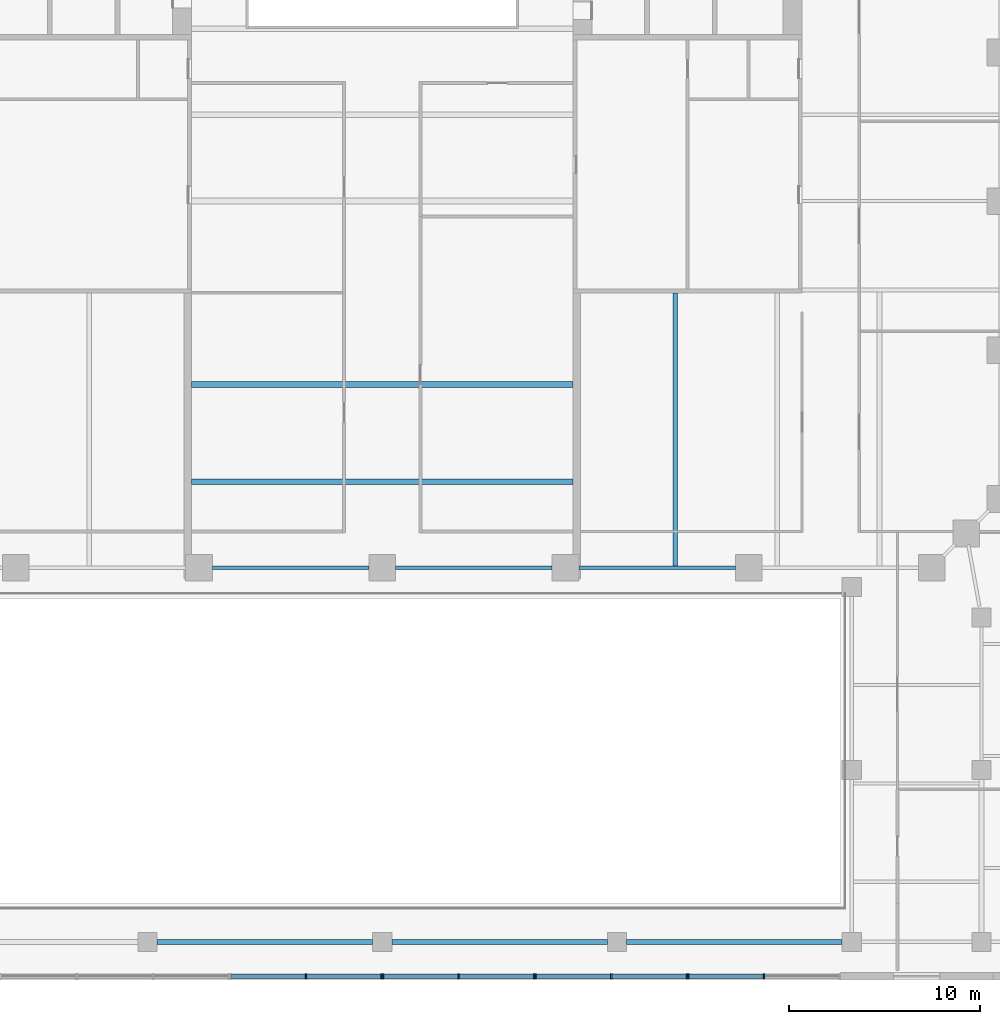
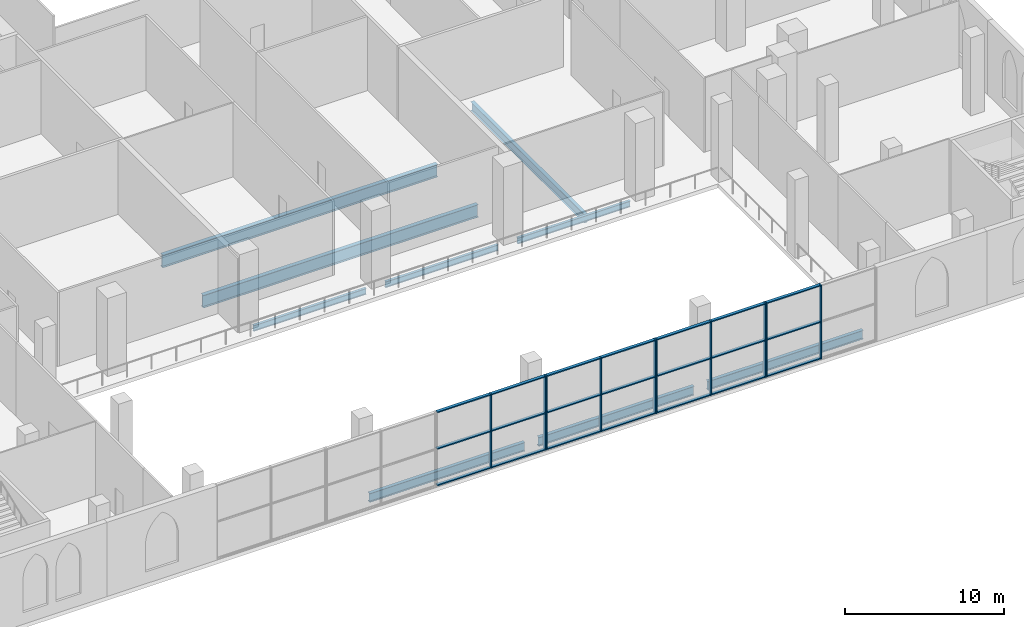
# One storey, part 3 of 21: 31 members, 9 beams, 4 elements without a shape of their own.
"""IFC4 building model written with IfcOpenShell, lengths in metres."""

from ifc_helpers import new_model, si_unit, direction, frame, origin, origin_2d, place, context, subcontext, project, spatial, rectangle, i_section, extrude, material, material_profile, profile_set, type_object, element, aggregate, save


model = new_model("IFC4")

# Units and contexts
model_context = context("Model", 3, precision=1e-05, world=origin(), true_north=direction((0.0, 1.0)))
body_context = subcontext(model_context, "Body", "Model", "MODEL_VIEW")
ifc_project = project(units=[si_unit("LENGTHUNIT", "METRE"), si_unit("AREAUNIT", "SQUARE_METRE"), si_unit("VOLUMEUNIT", "CUBIC_METRE"), si_unit("PLANEANGLEUNIT", "RADIAN"), si_unit("MASSUNIT", "GRAM", prefix="KILO")], contexts=[model_context])

# Site, building, storey
site_placement = place(None, origin())
site = spatial("IfcSite", under=ifc_project, at=site_placement, CompositionType="ELEMENT")
building_placement = place(site_placement, origin())
building = spatial("IfcBuilding", under=site, at=building_placement, Name="Ogive Exchange Tower", CompositionType="ELEMENT")
storey_placement = place(building_placement, frame((0.0, 0.0, 8.0)))
storey = spatial("IfcBuildingStorey", under=building, at=storey_placement, Name="L01", CompositionType="ELEMENT", Elevation=8.0)

# Beams
ifc_material_1 = material(Name="Steel ASTM A992 Gr50", Category="steel")
ifc_material_profile_1 = material_profile(ifc_material_1, i_section(OverallWidth=0.300048828125, OverallDepth=0.969970703125, WebThickness=0.01611328125, FlangeThickness=0.02099609375, at=origin_2d()), Name="W1000x222")
ifc_profile_set_1 = profile_set([ifc_material_profile_1], Name="Steel ASTM A992 Gr50")
beam_type_1 = type_object("IfcBeamType", Name="Floor beam W1000x222", PredefinedType="JOIST", material=ifc_profile_set_1)
for number, where, z_axis, x_axis, name in (
    (1, (-10.0, -25.896728515625, -0.784912109375), (1.0, 0.0, 0.0), (0.0, 1.0, 0.0), "Floor beam"),
    (2, (-10.0, -20.793212890625, -0.784912109375), (1.0, 0.0, 0.0), (0.0, 1.0, 0.0), "Floor beam"),
):
    element("IfcBeam", number, at=place(storey_placement, frame(where, z_axis=z_axis, x_axis=x_axis)), inside=storey, type_object=beam_type_1, Name=name, PredefinedType="JOIST", context=body_context, shape_type="SweptSolid", body=[
        extrude(i_section(OverallWidth=0.300048828125, OverallDepth=0.969970703125, WebThickness=0.01611328125, FlangeThickness=0.02099609375, at=origin_2d()), origin(), (0.0, 0.0, 1.0), 20.0),
    ])
ifc_material_profile_2 = material_profile(ifc_material_1, i_section(OverallWidth=0.25390625, OverallDepth=0.68310546875, WebThickness=0.012451171875, FlangeThickness=0.018798828125, at=origin_2d()), Name="W690x140")
ifc_profile_set_2 = profile_set([ifc_material_profile_2], Name="Steel ASTM A992 Gr50")
beam_type_2 = type_object("IfcBeamType", Name="Floor beam W690x140", PredefinedType="JOIST", material=ifc_profile_set_2)
beam_placement = place(storey_placement, frame((15.35009765625, -30.304443359375, -0.6416015625), z_axis=(0.0, 1.0, 0.0), x_axis=(-1.0, 0.0, 0.0)))
element("IfcBeam", 3, at=beam_placement, inside=storey, type_object=beam_type_2, Name="Floor beam", PredefinedType="JOIST", context=body_context, shape_type="SweptSolid", body=[
    extrude(i_section(OverallWidth=0.25390625, OverallDepth=0.68310546875, WebThickness=0.012451171875, FlangeThickness=0.018798828125, at=origin_2d()), origin(), (0.0, 0.0, 1.0), 14.304443359375),
])

# Curtain wall, members
ifc_material_2 = material(Name="Anodised aluminium and clear glass", Category="aluminium")
curtain_wall_type = type_object("IfcCurtainWallType", Name="Galleria end wall glazing", PredefinedType="NOTDEFINED", material=ifc_material_2)
curtain_wall_1_placement = place(storey_placement, origin())
curtain_wall_1 = element("IfcCurtainWall", 4, at=curtain_wall_1_placement, inside=storey, type_object=curtain_wall_type, Name="Galleria end wall glazing run GE6", PredefinedType="NOTDEFINED")
ifc_material_3 = material(Name="Anodised aluminium", Category="aluminium")
ifc_material_profile_3 = material_profile(ifc_material_3, rectangle(XDim=0.260009765625, YDim=0.080078125, at=origin_2d()), Name="AL 80x260")
ifc_profile_set_3 = profile_set([ifc_material_profile_3], Name="Anodised aluminium")
member_type_1 = type_object("IfcMemberType", Name="Galleria end wall glazing mullion 80 x 260", PredefinedType="MULLION", material=ifc_profile_set_3)
member_1_placement = place(storey_placement, frame((-4.0, -51.800048828125, 0.0), z_axis=(0.0, 0.0, 1.0), x_axis=(0.0, 1.0, 0.0)))
member_1 = element("IfcMember", 5, at=member_1_placement, type_object=member_type_1, Name="GE6 mullion 2", PredefinedType="MULLION", context=body_context, shape_type="SweptSolid", body=[
    extrude(rectangle(XDim=0.260009765625, YDim=0.080078125, at=origin_2d()), origin(), (0.0, 0.0, 1.0), 5.699951171875),
])
member_2_placement = place(storey_placement, frame((-0.0400390625, -51.800048828125, 0.0), z_axis=(0.0, 0.0, 1.0), x_axis=(0.0, 1.0, 0.0)))
member_2 = element("IfcMember", 6, at=member_2_placement, type_object=member_type_1, Name="GE6 mullion 3", PredefinedType="MULLION", context=body_context, shape_type="SweptSolid", body=[
    extrude(rectangle(XDim=0.260009765625, YDim=0.080078125, at=origin_2d()), origin(), (0.0, 0.0, 1.0), 5.699951171875),
])

curtain_wall_2_placement = place(storey_placement, origin())
curtain_wall_2 = element("IfcCurtainWall", 7, at=curtain_wall_2_placement, inside=storey, type_object=curtain_wall_type, Name="Galleria end wall glazing run GE7", PredefinedType="NOTDEFINED")
member_3_placement = place(storey_placement, frame((0.0400390625, -51.800048828125, 0.0), z_axis=(0.0, 0.0, 1.0), x_axis=(0.0, 1.0, 0.0)))
member_3 = element("IfcMember", 8, at=member_3_placement, type_object=member_type_1, Name="GE7 mullion 1", PredefinedType="MULLION", context=body_context, shape_type="SweptSolid", body=[
    extrude(rectangle(XDim=0.260009765625, YDim=0.080078125, at=origin_2d()), origin(), (0.0, 0.0, 1.0), 5.699951171875),
])
member_4_placement = place(storey_placement, frame((4.0, -51.800048828125, 0.0), z_axis=(0.0, 0.0, 1.0), x_axis=(0.0, 1.0, 0.0)))
member_4 = element("IfcMember", 9, at=member_4_placement, type_object=member_type_1, Name="GE7 mullion 2", PredefinedType="MULLION", context=body_context, shape_type="SweptSolid", body=[
    extrude(rectangle(XDim=0.260009765625, YDim=0.080078125, at=origin_2d()), origin(), (0.0, 0.0, 1.0), 5.699951171875),
])
member_5_placement = place(storey_placement, frame((7.9599609375, -51.800048828125, 0.0), z_axis=(0.0, 0.0, 1.0), x_axis=(0.0, 1.0, 0.0)))
member_5 = element("IfcMember", 10, at=member_5_placement, type_object=member_type_1, Name="GE7 mullion 3", PredefinedType="MULLION", context=body_context, shape_type="SweptSolid", body=[
    extrude(rectangle(XDim=0.260009765625, YDim=0.080078125, at=origin_2d()), origin(), (0.0, 0.0, 1.0), 5.699951171875),
])

curtain_wall_3_placement = place(storey_placement, origin())
curtain_wall_3 = element("IfcCurtainWall", 11, at=curtain_wall_3_placement, inside=storey, type_object=curtain_wall_type, Name="Galleria end wall glazing run GE8", PredefinedType="NOTDEFINED")
member_6_placement = place(storey_placement, frame((8.0400390625, -51.800048828125, 0.0), z_axis=(0.0, 0.0, 1.0), x_axis=(0.0, 1.0, 0.0)))
member_6 = element("IfcMember", 12, at=member_6_placement, type_object=member_type_1, Name="GE8 mullion 1", PredefinedType="MULLION", context=body_context, shape_type="SweptSolid", body=[
    extrude(rectangle(XDim=0.260009765625, YDim=0.080078125, at=origin_2d()), origin(), (0.0, 0.0, 1.0), 5.699951171875),
])
member_7_placement = place(storey_placement, frame((12.0, -51.800048828125, 0.0), z_axis=(0.0, 0.0, 1.0), x_axis=(0.0, 1.0, 0.0)))
member_7 = element("IfcMember", 13, at=member_7_placement, type_object=member_type_1, Name="GE8 mullion 2", PredefinedType="MULLION", context=body_context, shape_type="SweptSolid", body=[
    extrude(rectangle(XDim=0.260009765625, YDim=0.080078125, at=origin_2d()), origin(), (0.0, 0.0, 1.0), 5.699951171875),
])
member_8_placement = place(storey_placement, frame((15.9599609375, -51.800048828125, 0.0), z_axis=(0.0, 0.0, 1.0), x_axis=(0.0, 1.0, 0.0)))
member_8 = element("IfcMember", 14, at=member_8_placement, type_object=member_type_1, Name="GE8 mullion 3", PredefinedType="MULLION", context=body_context, shape_type="SweptSolid", body=[
    extrude(rectangle(XDim=0.260009765625, YDim=0.080078125, at=origin_2d()), origin(), (0.0, 0.0, 1.0), 5.699951171875),
])

curtain_wall_4_placement = place(storey_placement, origin())
curtain_wall_4 = element("IfcCurtainWall", 15, at=curtain_wall_4_placement, inside=storey, type_object=curtain_wall_type, Name="Galleria end wall glazing run GE9", PredefinedType="NOTDEFINED")
member_9_placement = place(storey_placement, frame((16.0400390625, -51.800048828125, 0.0), z_axis=(0.0, 0.0, 1.0), x_axis=(0.0, 1.0, 0.0)))
member_9 = element("IfcMember", 16, at=member_9_placement, type_object=member_type_1, Name="GE9 mullion 1", PredefinedType="MULLION", context=body_context, shape_type="SweptSolid", body=[
    extrude(rectangle(XDim=0.260009765625, YDim=0.080078125, at=origin_2d()), origin(), (0.0, 0.0, 1.0), 5.699951171875),
])
member_10_placement = place(storey_placement, frame((20.0, -51.800048828125, 0.0), z_axis=(0.0, 0.0, 1.0), x_axis=(0.0, 1.0, 0.0)))
member_10 = element("IfcMember", 17, at=member_10_placement, type_object=member_type_1, Name="GE9 mullion 2", PredefinedType="MULLION", context=body_context, shape_type="SweptSolid", body=[
    extrude(rectangle(XDim=0.260009765625, YDim=0.080078125, at=origin_2d()), origin(), (0.0, 0.0, 1.0), 5.699951171875),
])

# Member
ifc_material_profile_4 = material_profile(ifc_material_3, rectangle(XDim=0.219970703125, YDim=0.080078125, at=origin_2d()), Name="AL 80x220")
ifc_profile_set_4 = profile_set([ifc_material_profile_4], Name="Anodised aluminium")
member_type_2 = type_object("IfcMemberType", Name="Galleria end wall glazing transom 80 x 220", PredefinedType="USERDEFINED", material=ifc_profile_set_4)
member_11_placement = place(storey_placement, frame((-7.919921875, -51.800048828125, 0.0400390625), z_axis=(1.0, 0.0, 0.0), x_axis=(0.0, 1.0, 0.0)))
member_11 = element("IfcMember", 18, at=member_11_placement, type_object=member_type_2, Name="GE6 transom 1.1", ObjectType="TRANSOM", PredefinedType="USERDEFINED", context=body_context, shape_type="SweptSolid", body=[
    extrude(rectangle(XDim=0.219970703125, YDim=0.080078125, at=origin_2d()), origin(), (0.0, 0.0, 1.0), 3.8798828125),
])

member_12_placement = place(storey_placement, frame((-7.919921875, -51.800048828125, 2.85009765625), z_axis=(1.0, 0.0, 0.0), x_axis=(0.0, 1.0, 0.0)))
member_12 = element("IfcMember", 19, at=member_12_placement, type_object=member_type_2, Name="GE6 transom 1.2", ObjectType="TRANSOM", PredefinedType="USERDEFINED", context=body_context, shape_type="SweptSolid", body=[
    extrude(rectangle(XDim=0.219970703125, YDim=0.080078125, at=origin_2d()), origin(), (0.0, 0.0, 1.0), 3.8798828125),
])

member_13_placement = place(storey_placement, frame((-7.919921875, -51.800048828125, 5.659912109375), z_axis=(1.0, 0.0, 0.0), x_axis=(0.0, 1.0, 0.0)))
member_13 = element("IfcMember", 20, at=member_13_placement, type_object=member_type_2, Name="GE6 transom 1.3", ObjectType="TRANSOM", PredefinedType="USERDEFINED", context=body_context, shape_type="SweptSolid", body=[
    extrude(rectangle(XDim=0.219970703125, YDim=0.080078125, at=origin_2d()), origin(), (0.0, 0.0, 1.0), 3.8798828125),
])

member_14_placement = place(storey_placement, frame((-3.9599609375, -51.800048828125, 0.0400390625), z_axis=(1.0, 0.0, 0.0), x_axis=(0.0, 1.0, 0.0)))
member_14 = element("IfcMember", 21, at=member_14_placement, type_object=member_type_2, Name="GE6 transom 2.1", ObjectType="TRANSOM", PredefinedType="USERDEFINED", context=body_context, shape_type="SweptSolid", body=[
    extrude(rectangle(XDim=0.219970703125, YDim=0.080078125, at=origin_2d()), origin(), (0.0, 0.0, 1.0), 3.8798828125),
])

member_15_placement = place(storey_placement, frame((-3.9599609375, -51.800048828125, 2.85009765625), z_axis=(1.0, 0.0, 0.0), x_axis=(0.0, 1.0, 0.0)))
member_15 = element("IfcMember", 22, at=member_15_placement, type_object=member_type_2, Name="GE6 transom 2.2", ObjectType="TRANSOM", PredefinedType="USERDEFINED", context=body_context, shape_type="SweptSolid", body=[
    extrude(rectangle(XDim=0.219970703125, YDim=0.080078125, at=origin_2d()), origin(), (0.0, 0.0, 1.0), 3.8798828125),
])

member_16_placement = place(storey_placement, frame((-3.9599609375, -51.800048828125, 5.659912109375), z_axis=(1.0, 0.0, 0.0), x_axis=(0.0, 1.0, 0.0)))
member_16 = element("IfcMember", 23, at=member_16_placement, type_object=member_type_2, Name="GE6 transom 2.3", ObjectType="TRANSOM", PredefinedType="USERDEFINED", context=body_context, shape_type="SweptSolid", body=[
    extrude(rectangle(XDim=0.219970703125, YDim=0.080078125, at=origin_2d()), origin(), (0.0, 0.0, 1.0), 3.8798828125),
])

aggregate(curtain_wall_1, [member_1, member_2, member_11, member_12, member_13, member_14, member_15, member_16])

member_17_placement = place(storey_placement, frame((0.080078125, -51.800048828125, 0.0400390625), z_axis=(1.0, 0.0, 0.0), x_axis=(0.0, 1.0, 0.0)))
member_17 = element("IfcMember", 24, at=member_17_placement, type_object=member_type_2, Name="GE7 transom 1.1", ObjectType="TRANSOM", PredefinedType="USERDEFINED", context=body_context, shape_type="SweptSolid", body=[
    extrude(rectangle(XDim=0.219970703125, YDim=0.080078125, at=origin_2d()), origin(), (0.0, 0.0, 1.0), 3.8798828125),
])

member_18_placement = place(storey_placement, frame((0.080078125, -51.800048828125, 2.85009765625), z_axis=(1.0, 0.0, 0.0), x_axis=(0.0, 1.0, 0.0)))
member_18 = element("IfcMember", 25, at=member_18_placement, type_object=member_type_2, Name="GE7 transom 1.2", ObjectType="TRANSOM", PredefinedType="USERDEFINED", context=body_context, shape_type="SweptSolid", body=[
    extrude(rectangle(XDim=0.219970703125, YDim=0.080078125, at=origin_2d()), origin(), (0.0, 0.0, 1.0), 3.8798828125),
])

member_19_placement = place(storey_placement, frame((0.080078125, -51.800048828125, 5.659912109375), z_axis=(1.0, 0.0, 0.0), x_axis=(0.0, 1.0, 0.0)))
member_19 = element("IfcMember", 26, at=member_19_placement, type_object=member_type_2, Name="GE7 transom 1.3", ObjectType="TRANSOM", PredefinedType="USERDEFINED", context=body_context, shape_type="SweptSolid", body=[
    extrude(rectangle(XDim=0.219970703125, YDim=0.080078125, at=origin_2d()), origin(), (0.0, 0.0, 1.0), 3.8798828125),
])

member_20_placement = place(storey_placement, frame((4.0400390625, -51.800048828125, 0.0400390625), z_axis=(1.0, 0.0, 0.0), x_axis=(0.0, 1.0, 0.0)))
member_20 = element("IfcMember", 27, at=member_20_placement, type_object=member_type_2, Name="GE7 transom 2.1", ObjectType="TRANSOM", PredefinedType="USERDEFINED", context=body_context, shape_type="SweptSolid", body=[
    extrude(rectangle(XDim=0.219970703125, YDim=0.080078125, at=origin_2d()), origin(), (0.0, 0.0, 1.0), 3.8798828125),
])

member_21_placement = place(storey_placement, frame((4.0400390625, -51.800048828125, 2.85009765625), z_axis=(1.0, 0.0, 0.0), x_axis=(0.0, 1.0, 0.0)))
member_21 = element("IfcMember", 28, at=member_21_placement, type_object=member_type_2, Name="GE7 transom 2.2", ObjectType="TRANSOM", PredefinedType="USERDEFINED", context=body_context, shape_type="SweptSolid", body=[
    extrude(rectangle(XDim=0.219970703125, YDim=0.080078125, at=origin_2d()), origin(), (0.0, 0.0, 1.0), 3.8798828125),
])

member_22_placement = place(storey_placement, frame((4.0400390625, -51.800048828125, 5.659912109375), z_axis=(1.0, 0.0, 0.0), x_axis=(0.0, 1.0, 0.0)))
member_22 = element("IfcMember", 29, at=member_22_placement, type_object=member_type_2, Name="GE7 transom 2.3", ObjectType="TRANSOM", PredefinedType="USERDEFINED", context=body_context, shape_type="SweptSolid", body=[
    extrude(rectangle(XDim=0.219970703125, YDim=0.080078125, at=origin_2d()), origin(), (0.0, 0.0, 1.0), 3.8798828125),
])

aggregate(curtain_wall_2, [member_3, member_4, member_5, member_17, member_18, member_19, member_20, member_21, member_22])

member_23_placement = place(storey_placement, frame((8.080078125, -51.800048828125, 0.0400390625), z_axis=(1.0, 0.0, 0.0), x_axis=(0.0, 1.0, 0.0)))
member_23 = element("IfcMember", 30, at=member_23_placement, type_object=member_type_2, Name="GE8 transom 1.1", ObjectType="TRANSOM", PredefinedType="USERDEFINED", context=body_context, shape_type="SweptSolid", body=[
    extrude(rectangle(XDim=0.219970703125, YDim=0.080078125, at=origin_2d()), origin(), (0.0, 0.0, 1.0), 3.8798828125),
])

member_24_placement = place(storey_placement, frame((8.080078125, -51.800048828125, 2.85009765625), z_axis=(1.0, 0.0, 0.0), x_axis=(0.0, 1.0, 0.0)))
member_24 = element("IfcMember", 31, at=member_24_placement, type_object=member_type_2, Name="GE8 transom 1.2", ObjectType="TRANSOM", PredefinedType="USERDEFINED", context=body_context, shape_type="SweptSolid", body=[
    extrude(rectangle(XDim=0.219970703125, YDim=0.080078125, at=origin_2d()), origin(), (0.0, 0.0, 1.0), 3.8798828125),
])

member_25_placement = place(storey_placement, frame((8.080078125, -51.800048828125, 5.659912109375), z_axis=(1.0, 0.0, 0.0), x_axis=(0.0, 1.0, 0.0)))
member_25 = element("IfcMember", 32, at=member_25_placement, type_object=member_type_2, Name="GE8 transom 1.3", ObjectType="TRANSOM", PredefinedType="USERDEFINED", context=body_context, shape_type="SweptSolid", body=[
    extrude(rectangle(XDim=0.219970703125, YDim=0.080078125, at=origin_2d()), origin(), (0.0, 0.0, 1.0), 3.8798828125),
])

member_26_placement = place(storey_placement, frame((12.0400390625, -51.800048828125, 0.0400390625), z_axis=(1.0, 0.0, 0.0), x_axis=(0.0, 1.0, 0.0)))
member_26 = element("IfcMember", 33, at=member_26_placement, type_object=member_type_2, Name="GE8 transom 2.1", ObjectType="TRANSOM", PredefinedType="USERDEFINED", context=body_context, shape_type="SweptSolid", body=[
    extrude(rectangle(XDim=0.219970703125, YDim=0.080078125, at=origin_2d()), origin(), (0.0, 0.0, 1.0), 3.8798828125),
])

member_27_placement = place(storey_placement, frame((12.0400390625, -51.800048828125, 2.85009765625), z_axis=(1.0, 0.0, 0.0), x_axis=(0.0, 1.0, 0.0)))
member_27 = element("IfcMember", 34, at=member_27_placement, type_object=member_type_2, Name="GE8 transom 2.2", ObjectType="TRANSOM", PredefinedType="USERDEFINED", context=body_context, shape_type="SweptSolid", body=[
    extrude(rectangle(XDim=0.219970703125, YDim=0.080078125, at=origin_2d()), origin(), (0.0, 0.0, 1.0), 3.8798828125),
])

member_28_placement = place(storey_placement, frame((12.0400390625, -51.800048828125, 5.659912109375), z_axis=(1.0, 0.0, 0.0), x_axis=(0.0, 1.0, 0.0)))
member_28 = element("IfcMember", 35, at=member_28_placement, type_object=member_type_2, Name="GE8 transom 2.3", ObjectType="TRANSOM", PredefinedType="USERDEFINED", context=body_context, shape_type="SweptSolid", body=[
    extrude(rectangle(XDim=0.219970703125, YDim=0.080078125, at=origin_2d()), origin(), (0.0, 0.0, 1.0), 3.8798828125),
])

aggregate(curtain_wall_3, [member_6, member_7, member_8, member_23, member_24, member_25, member_26, member_27, member_28])

member_29_placement = place(storey_placement, frame((16.080078125, -51.800048828125, 0.0400390625), z_axis=(1.0, 0.0, 0.0), x_axis=(0.0, 1.0, 0.0)))
member_29 = element("IfcMember", 36, at=member_29_placement, type_object=member_type_2, Name="GE9 transom 1.1", ObjectType="TRANSOM", PredefinedType="USERDEFINED", context=body_context, shape_type="SweptSolid", body=[
    extrude(rectangle(XDim=0.219970703125, YDim=0.080078125, at=origin_2d()), origin(), (0.0, 0.0, 1.0), 3.8798828125),
])

member_30_placement = place(storey_placement, frame((16.080078125, -51.800048828125, 2.85009765625), z_axis=(1.0, 0.0, 0.0), x_axis=(0.0, 1.0, 0.0)))
member_30 = element("IfcMember", 37, at=member_30_placement, type_object=member_type_2, Name="GE9 transom 1.2", ObjectType="TRANSOM", PredefinedType="USERDEFINED", context=body_context, shape_type="SweptSolid", body=[
    extrude(rectangle(XDim=0.219970703125, YDim=0.080078125, at=origin_2d()), origin(), (0.0, 0.0, 1.0), 3.8798828125),
])

member_31_placement = place(storey_placement, frame((16.080078125, -51.800048828125, 5.659912109375), z_axis=(1.0, 0.0, 0.0), x_axis=(0.0, 1.0, 0.0)))
member_31 = element("IfcMember", 38, at=member_31_placement, type_object=member_type_2, Name="GE9 transom 1.3", ObjectType="TRANSOM", PredefinedType="USERDEFINED", context=body_context, shape_type="SweptSolid", body=[
    extrude(rectangle(XDim=0.219970703125, YDim=0.080078125, at=origin_2d()), origin(), (0.0, 0.0, 1.0), 3.8798828125),
])

aggregate(curtain_wall_4, [member_9, member_10, member_29, member_30, member_31])

# Beams
ifc_material_profile_5 = material_profile(ifc_material_1, i_section(OverallWidth=0.19091796875, OverallDepth=0.45703125, WebThickness=0.009033203125, FlangeThickness=0.014404296875, at=origin_2d()), Name="W460x74")
ifc_profile_set_5 = profile_set([ifc_material_profile_5], Name="Steel ASTM A992 Gr50")
beam_type_3 = type_object("IfcBeamType", Name="Girder W460x74", PredefinedType="BEAM", material=ifc_profile_set_5)
for number, where, z_axis, x_axis, name in (
    (39, (-8.89990234375, -30.39990234375, -0.528564453125), (1.0, 0.0, 0.0), (0.0, 1.0, 0.0), "Girder"),
    (40, (0.699951171875, -30.39990234375, -0.528564453125), (1.0, 0.0, 0.0), (0.0, 1.0, 0.0), "Girder"),
    (41, (10.300048828125, -30.39990234375, -0.528564453125), (1.0, 0.0, 0.0), (0.0, 1.0, 0.0), "Girder"),
):
    element("IfcBeam", number, at=place(storey_placement, frame(where, z_axis=z_axis, x_axis=x_axis)), inside=storey, type_object=beam_type_3, Name=name, PredefinedType="BEAM", context=body_context, shape_type="SweptSolid", body=[
        extrude(i_section(OverallWidth=0.19091796875, OverallDepth=0.45703125, WebThickness=0.009033203125, FlangeThickness=0.014404296875, at=origin_2d()), origin(), (0.0, 0.0, 1.0), 8.199951171875),
    ])
ifc_material_profile_6 = material_profile(ifc_material_1, i_section(OverallWidth=0.25390625, OverallDepth=0.677978515625, WebThickness=0.01171875, FlangeThickness=0.016357421875, at=origin_2d()), Name="W690x125")
ifc_profile_set_6 = profile_set([ifc_material_profile_6], Name="Steel ASTM A992 Gr50")
beam_type_4 = type_object("IfcBeamType", Name="Girder W690x125", PredefinedType="BEAM", material=ifc_profile_set_6)
for number, where, z_axis, x_axis, name in (
    (42, (-11.800048828125, -50.0, -0.638916015625), (1.0, 0.0, 0.0), (0.0, 1.0, 0.0), "Girder"),
    (43, (0.5, -50.0, -0.638916015625), (1.0, 0.0, 0.0), (0.0, 1.0, 0.0), "Girder"),
    (44, (12.800048828125, -50.0, -0.638916015625), (1.0, 0.0, 0.0), (0.0, 1.0, 0.0), "Girder"),
):
    element("IfcBeam", number, at=place(storey_placement, frame(where, z_axis=z_axis, x_axis=x_axis)), inside=storey, type_object=beam_type_4, Name=name, PredefinedType="BEAM", context=body_context, shape_type="SweptSolid", body=[
        extrude(i_section(OverallWidth=0.25390625, OverallDepth=0.677978515625, WebThickness=0.01171875, FlangeThickness=0.016357421875, at=origin_2d()), origin(), (0.0, 0.0, 1.0), 11.300048828125),
    ])

save(model, "model.ifc")
